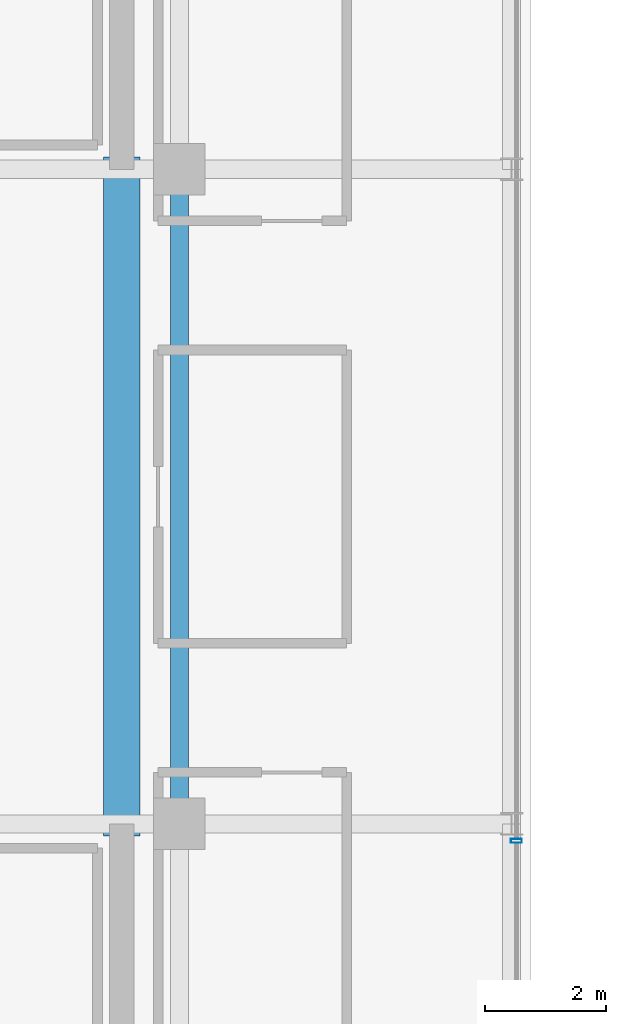
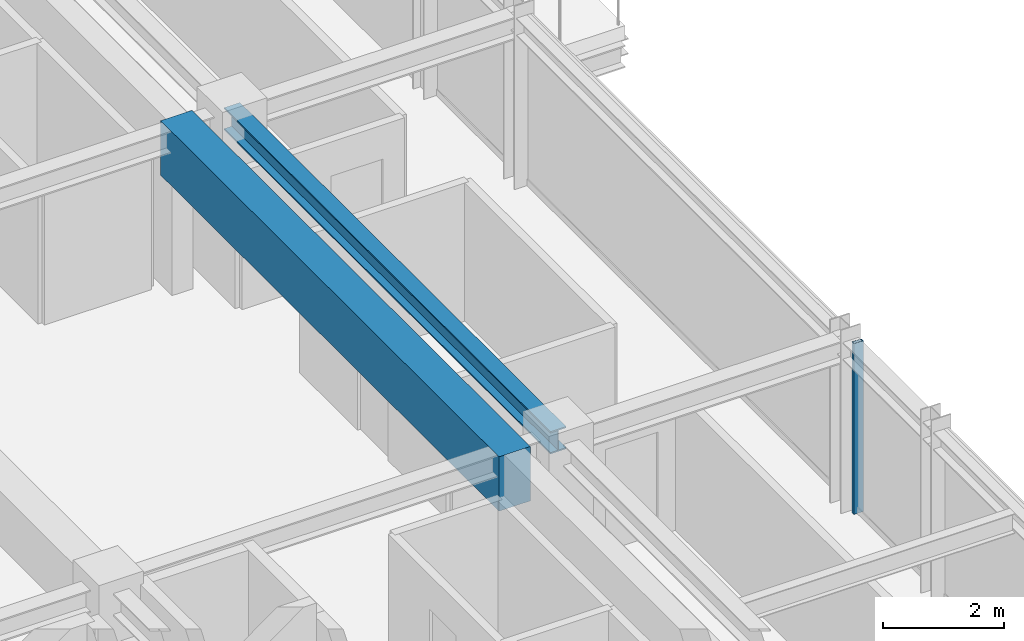
# One storey, part 13 of 33: 2 beams, 1 member, 1 element without a shape of its own.
"""IFC4 building model written with IfcOpenShell, lengths in metres."""

import ifcopenshell
import ifcopenshell.guid

model = None  # the IFC model being written
_history = None  # IfcOwnerHistory: only IFC2X3 demands one
_inside = {}  # id of a spatial element -> (the spatial element, [elements in it])
_under = {}  # id of a project, library or spatial element -> (it, [spatial elements below it])
_declared = {}  # id of a project -> (the project, [libraries it declares])
_typed = {}  # id of a type object -> (the type object, [elements of that type])
_made_of = {}  # id of a material, layer set ... -> (it, [elements and type objects made of it])


def new_model(schema):
    """Start an empty IFC model of exactly this schema.

    Asked for "IFC4X3", IfcOpenShell would pick the latest addendum, in which some entities
    have other attributes; the version numbers below select the first issue.
    IFC2X3 requires an IfcOwnerHistory on every rooted entity: one is made here for all.
    """
    global model, _history
    if schema == "IFC4X3":
        model = ifcopenshell.file(schema_version=(4, 3, 0, 0))
    else:
        model = ifcopenshell.file(schema=schema)
    _inside.clear()
    _under.clear()
    _declared.clear()
    _typed.clear()
    _made_of.clear()
    _history = None
    if model.schema == "IFC2X3":
        org = make("IfcOrganization", Name="unknown")
        user = make(
            "IfcPersonAndOrganization",
            ThePerson=make("IfcPerson", FamilyName="unknown"),
            TheOrganization=org,
        )
        app = make(
            "IfcApplication",
            ApplicationDeveloper=org,
            Version="unknown",
            ApplicationFullName="unknown",
            ApplicationIdentifier="unknown",
        )
        _history = make(
            "IfcOwnerHistory",
            OwningUser=user,
            OwningApplication=app,
            ChangeAction="ADDED",
            CreationDate=0,
        )
    return model


def make(cls, **values):
    """One entity of the class cls with the attributes given. An attribute that is None is left unset."""
    return model.create_entity(
        cls, **{name: value for name, value in values.items() if value is not None}
    )


def rooted(cls, **values):
    """An entity with a GlobalId (a new one), such as an element, a storey or a relation."""
    return make(cls, GlobalId=ifcopenshell.guid.new(), OwnerHistory=_history, **values)


def si_unit(unit_type, name, prefix=None):
    """IfcSIUnit, for example si_unit("LENGTHUNIT", "METRE", prefix="MILLI")."""
    return make("IfcSIUnit", UnitType=unit_type, Prefix=prefix, Name=name)


def assignment(units):
    """IfcUnitAssignment: the units of a project."""
    return None if units is None else make("IfcUnitAssignment", Units=units)


def point(xyz):
    """IfcCartesianPoint."""
    return None if xyz is None else make("IfcCartesianPoint", Coordinates=xyz)


def direction(xyz):
    """IfcDirection."""
    return None if xyz is None else make("IfcDirection", DirectionRatios=xyz)


def frame(location, z_axis=None, x_axis=None):
    """IfcAxis2Placement3D, a coordinate frame: its origin and axes. An axis left out is left unset."""
    return make(
        "IfcAxis2Placement3D",
        Location=point(location),
        Axis=direction(z_axis),
        RefDirection=direction(x_axis),
    )


def frame_2d(location, x_axis=None):
    """IfcAxis2Placement2D, a coordinate frame in the plane: its origin and x axis."""
    return make(
        "IfcAxis2Placement2D", Location=point(location), RefDirection=direction(x_axis)
    )


def origin():
    """The frame at (0, 0, 0) with its axes left unset."""
    return frame((0.0, 0.0, 0.0))


def origin_2d():
    """The frame at (0, 0) in the plane with its x axis left unset."""
    return frame_2d((0.0, 0.0))


def place(relative_to, where):
    """IfcLocalPlacement: puts the frame where relative to a parent placement (None: the world)."""
    return make(
        "IfcLocalPlacement", PlacementRelTo=relative_to, RelativePlacement=where
    )


def context(
    kind, dimensions, precision=None, world=None, true_north=None, identifier=None
):
    """IfcGeometricRepresentationContext, for example the 3D "Model" context."""
    return make(
        "IfcGeometricRepresentationContext",
        ContextIdentifier=identifier,
        ContextType=kind,
        CoordinateSpaceDimension=dimensions,
        Precision=precision,
        WorldCoordinateSystem=world,
        TrueNorth=true_north,
    )


def subcontext(parent, identifier, kind, view, scale=None):
    """IfcGeometricRepresentationSubContext, for example "Body" below "Model"."""
    return make(
        "IfcGeometricRepresentationSubContext",
        ContextIdentifier=identifier,
        ContextType=kind,
        ParentContext=parent,
        TargetScale=scale,
        TargetView=view,
    )


def project(units=None, contexts=None):
    """IfcProject with its units and contexts."""
    return rooted(
        "IfcProject",
        Name="project",
        RepresentationContexts=contexts,
        UnitsInContext=assignment(units),
    )


def spatial(cls, under=None, at=None, **own):
    """A site, building, storey or space (cls), placed at a placement, below another one or the project."""
    s = rooted(cls, ObjectPlacement=at, **own)
    if under is not None:
        _under.setdefault(under.id(), (under, []))[1].append(s)
    return s


def profile(cls, at=None, kind="AREA", **sizes):
    """A parametric profile (cls). Its sizes go by their IFC names, for example OverallWidth=200.0."""
    return make(cls, ProfileType=kind, Position=at, **sizes)


def rectangle(**sizes):
    """IfcRectangleProfileDef."""
    return profile("IfcRectangleProfileDef", **sizes)


def hollow_rectangle(**sizes):
    """IfcRectangleHollowProfileDef."""
    return profile("IfcRectangleHollowProfileDef", **sizes)


def i_section(**sizes):
    """IfcIShapeProfileDef."""
    return profile("IfcIShapeProfileDef", **sizes)


def extrude(swept, where, along, depth):
    """IfcExtrudedAreaSolid: the profile swept, set in the frame where, extruded along a direction by depth."""
    return make(
        "IfcExtrudedAreaSolid",
        SweptArea=swept,
        Position=where,
        ExtrudedDirection=direction(along),
        Depth=depth,
    )


def shape(context_of_items, identifier, shape_type, items):
    """IfcShapeRepresentation: the items that make up one representation, for example the "Body"."""
    return make(
        "IfcShapeRepresentation",
        ContextOfItems=context_of_items,
        RepresentationIdentifier=identifier,
        RepresentationType=shape_type,
        Items=items,
    )


def source(mapping_origin, context_of_items, identifier, shape_type, items):
    """IfcRepresentationMap: a shape defined once, which mapped items show again and again."""
    return make(
        "IfcRepresentationMap",
        MappingOrigin=mapping_origin,
        MappedRepresentation=shape(context_of_items, identifier, shape_type, items),
    )


def transform(
    local_origin,
    x_axis=None,
    y_axis=None,
    z_axis=None,
    scale=None,
    scale2=None,
    scale3=None,
    uniform=True,
):
    """IfcCartesianTransformationOperator3D, or its non-uniform kind. x_axis, y_axis, z_axis: its Axis1, 2, 3."""
    if uniform:
        return make(
            "IfcCartesianTransformationOperator3D",
            Axis1=direction(x_axis),
            Axis2=direction(y_axis),
            LocalOrigin=point(local_origin),
            Scale=scale,
            Axis3=direction(z_axis),
        )
    return make(
        "IfcCartesianTransformationOperator3DnonUniform",
        Axis1=direction(x_axis),
        Axis2=direction(y_axis),
        LocalOrigin=point(local_origin),
        Scale=scale,
        Axis3=direction(z_axis),
        Scale2=scale2,
        Scale3=scale3,
    )


def mapped(mapping_source, mapping_target):
    """IfcMappedItem: shows the shape of a source again, moved by a transform."""
    return make(
        "IfcMappedItem", MappingSource=mapping_source, MappingTarget=mapping_target
    )


def material(Name=None, Category=None):
    """IfcMaterial."""
    return make("IfcMaterial", Name=Name, Category=Category)


def material_profile(
    of_material, cross_section, Name=None, Category=None, Priority=None
):
    """IfcMaterialProfile: a cross section and its material."""
    return make(
        "IfcMaterialProfile",
        Name=Name,
        Material=of_material,
        Profile=cross_section,
        Priority=Priority,
        Category=Category,
    )


def profile_set(profiles, Name=None, composite=None):
    """IfcMaterialProfileSet."""
    return make(
        "IfcMaterialProfileSet",
        Name=Name,
        MaterialProfiles=profiles,
        CompositeProfile=composite,
    )


def made_of(thing, what):
    """Note that an element or type object is made of a material, layer set ...; save() writes the relation."""
    if what is not None:
        _made_of.setdefault(what.id(), (what, []))[1].append(thing)
    return thing


def type_object(cls, material=None, **own):
    """A type object (cls), such as IfcWallType, which elements share."""
    return made_of(rooted(cls, **own), material)


def element(
    cls,
    number,
    at=None,
    inside=None,
    cuts=None,
    type_object=None,
    material=None,
    context=None,
    identifier="Body",
    shape_type=None,
    held_by="IfcProductDefinitionShape",
    body=None,
    shapes=None,
    **own,
):
    """One element of the class cls, such as IfcWall. Its Tag is "e" and its number.

    at: its placement. inside: the storey or other place that contains it. cuts: it is an
    opening in that element (IfcRelVoidsElement). A single representation is given by context,
    identifier, shape_type and body (its items); several are given by shapes. held_by: the class
    of the entity that holds the representations. save() writes the other relations.
    """
    e = rooted(cls, Tag="e%d" % number, ObjectPlacement=at, **own)
    if body is not None:
        shapes = [shape(context, identifier, shape_type, body)]
    if shapes is not None:
        e.Representation = make(held_by, Representations=shapes)
    if inside is not None:
        _inside.setdefault(inside.id(), (inside, []))[1].append(e)
    if cuts is not None:
        rooted(
            "IfcRelVoidsElement", RelatingBuildingElement=cuts, RelatedOpeningElement=e
        )
    if type_object is not None:
        _typed.setdefault(type_object.id(), (type_object, []))[1].append(e)
    return made_of(e, material)


def aggregate(whole, parts):
    """IfcRelAggregates: a whole, such as a stair, and the parts it consists of."""
    return rooted("IfcRelAggregates", RelatingObject=whole, RelatedObjects=parts)


def save(model, path):
    """Write the relations noted so far, then the file.

    IfcRelAggregates (storeys below a building ...), IfcRelContainedInSpatialStructure (elements
    in a storey), IfcRelDefinesByType, IfcRelAssociatesMaterial and IfcRelDeclares: one each for
    every whole, place, type object, material and project.
    """
    for whole, parts in _under.values():
        aggregate(whole, parts)
    for where, things in _inside.values():
        rooted(
            "IfcRelContainedInSpatialStructure",
            RelatedElements=things,
            RelatingStructure=where,
        )
    for kind, things in _typed.values():
        rooted("IfcRelDefinesByType", RelatedObjects=things, RelatingType=kind)
    for what, things in _made_of.values():
        rooted("IfcRelAssociatesMaterial", RelatedObjects=things, RelatingMaterial=what)
    for by, libraries in _declared.values():
        rooted("IfcRelDeclares", RelatingContext=by, RelatedDefinitions=libraries)
    model.write(path)


model = new_model("IFC4")

# Units and contexts
model_context = context("Model", 3, precision=1e-05, world=origin(), true_north=direction((0.0, 1.0)))
body_context = subcontext(model_context, "Body", "Model", "MODEL_VIEW")
ifc_project = project(units=[si_unit("LENGTHUNIT", "METRE"), si_unit("AREAUNIT", "SQUARE_METRE"), si_unit("VOLUMEUNIT", "CUBIC_METRE"), si_unit("PLANEANGLEUNIT", "RADIAN"), si_unit("MASSUNIT", "GRAM", prefix="KILO")], contexts=[model_context])

# Site, building, storey
site_placement = place(None, origin())
site = spatial("IfcSite", under=ifc_project, at=site_placement, CompositionType="ELEMENT")
building_placement = place(site_placement, origin())
building = spatial("IfcBuilding", under=site, at=building_placement, Name="Nahalor Promenade Grand Hotel", CompositionType="ELEMENT")
storey_placement = place(building_placement, frame((0.0, 0.0, 270.050048828125)))
storey = spatial("IfcBuildingStorey", under=building, at=storey_placement, Name="L69", CompositionType="ELEMENT", Elevation=270.050048828125)

# Beams
ifc_material_1 = material(Name="Concrete B-60 (C50/60)", Category="concrete")
ifc_material_profile_1 = material_profile(ifc_material_1, rectangle(XDim=0.6, YDim=1.1, at=origin_2d()), Name="RC 600x1100")
ifc_profile_set_1 = profile_set([ifc_material_profile_1], Name="Concrete B-60 (C50/60)")
beam_type_1 = type_object("IfcBeamType", Name="Beam-Lintel-RC1100", PredefinedType="LINTEL", material=ifc_profile_set_1)
shared_shape_1 = source(origin(), body_context, "Body", "SweptSolid", [
    extrude(rectangle(XDim=0.6, YDim=1.1, at=origin_2d()), origin(), (0.0, 0.0, 1.0), 11.2001953125),
])
beam_1_placement = place(storey_placement, frame((16.050048828125, -5.60009765625, 2.89990234375), z_axis=(0.0, 1.0, 0.0), x_axis=(-1.0, 0.0, 0.0)))
element("IfcBeam", 1, at=beam_1_placement, inside=storey, type_object=beam_type_1, Name="BM-L69-LINT-E", PredefinedType="LINTEL", context=body_context, shape_type="MappedRepresentation", body=[
    mapped(shared_shape_1, transform((0.0, 0.0, 0.0), scale=1.0)),
])
ifc_material_2 = material(Name="Steel S355JR", Category="steel")
ifc_material_profile_2 = material_profile(ifc_material_2, i_section(OverallWidth=0.3, OverallDepth=0.45, WebThickness=0.014, FlangeThickness=0.026, at=origin_2d()), Name="HEB 450")
ifc_profile_set_2 = profile_set([ifc_material_profile_2], Name="Steel S355JR")
beam_type_2 = type_object("IfcBeamType", Name="Beam-Girder-HEB450", PredefinedType="BEAM", material=ifc_profile_set_2)
shared_shape_2 = source(origin(), body_context, "Body", "SweptSolid", [
    extrude(i_section(OverallWidth=0.3, OverallDepth=0.45, WebThickness=0.014, FlangeThickness=0.026, at=origin_2d()), origin(), (0.0, 0.0, 1.0), 10.7998046875),
])
beam_2_placement = place(storey_placement, frame((17.0, -5.39990234375, 3.224853515625), z_axis=(0.0, 1.0, 0.0), x_axis=(-1.0, 0.0, 0.0)))
element("IfcBeam", 2, at=beam_2_placement, inside=storey, type_object=beam_type_2, Name="BM-L69-GY-5-2", PredefinedType="BEAM", context=body_context, shape_type="MappedRepresentation", body=[
    mapped(shared_shape_2, transform((0.0, 0.0, 0.0), scale=1.0)),
])

# Curtain wall, member
ifc_material_3 = material(Name="Anodised Bronze Aluminium EN AW-6063 T6", Category="aluminium")
curtain_wall_type = type_object("IfcCurtainWallType", Name="CW2 Typical Hotel Flush Bronze Unitised Curtain Wall", PredefinedType="USERDEFINED", material=ifc_material_3)
curtain_wall_placement = place(storey_placement, origin())
curtain_wall = element("IfcCurtainWall", 3, at=curtain_wall_placement, inside=storey, type_object=curtain_wall_type, Name="L69 Curtain Wall CW-L69-E-1", ObjectType="UNITISED_CURTAIN_WALL", PredefinedType="USERDEFINED")
ifc_material_profile_3 = material_profile(ifc_material_3, hollow_rectangle(XDim=0.065, YDim=0.18, WallThickness=0.004, at=origin_2d()), Name="CWM 65x180x4")
ifc_profile_set_3 = profile_set([ifc_material_profile_3], Name="Anodised Bronze Aluminium EN AW-6063 T6")
member_type = type_object("IfcMemberType", Name="CWM2 Typical Bronze Mullion 65x180", PredefinedType="MULLION", material=ifc_profile_set_3)
shared_shape_3 = source(origin(), body_context, "Body", "SweptSolid", [
    extrude(hollow_rectangle(XDim=0.065, YDim=0.18, WallThickness=0.004, at=origin_2d()), origin(), (0.0, 0.0, 1.0), 3.449951171875),
])
member_placement = place(storey_placement, frame((22.56005859375, -5.679931640625, 0.0), z_axis=(0.0, 0.0, 1.0), x_axis=(0.0, 1.0, 0.0)))
member = element("IfcMember", 4, at=member_placement, type_object=member_type, Name="CW-L69-E-1 Mullion 1", PredefinedType="MULLION", context=body_context, shape_type="MappedRepresentation", body=[
    mapped(shared_shape_3, transform((0.0, 0.0, 0.0), scale=1.0)),
])
aggregate(curtain_wall, [member])

save(model, "model.ifc")
